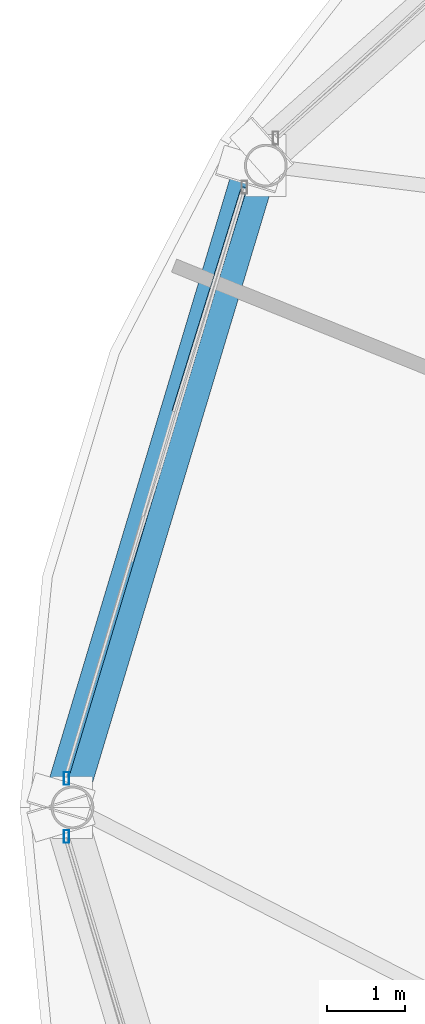
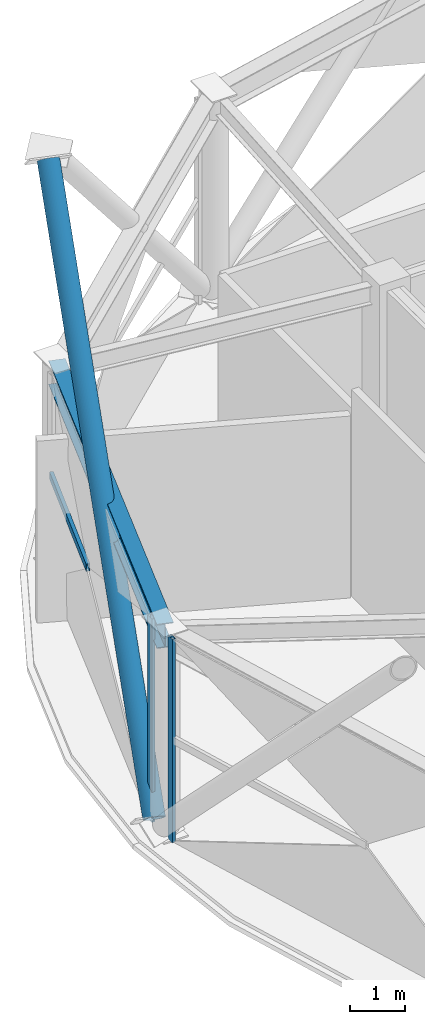
# One storey, part 8 of 27: 4 members, 1 beam, 2 elements without a shape of their own.
"""IFC4 building model written with IfcOpenShell, lengths in metres."""

import ifcopenshell
import ifcopenshell.guid

model = None  # the IFC model being written
_history = None  # IfcOwnerHistory: only IFC2X3 demands one
_inside = {}  # id of a spatial element -> (the spatial element, [elements in it])
_under = {}  # id of a project, library or spatial element -> (it, [spatial elements below it])
_declared = {}  # id of a project -> (the project, [libraries it declares])
_typed = {}  # id of a type object -> (the type object, [elements of that type])
_made_of = {}  # id of a material, layer set ... -> (it, [elements and type objects made of it])


def new_model(schema):
    """Start an empty IFC model of exactly this schema.

    Asked for "IFC4X3", IfcOpenShell would pick the latest addendum, in which some entities
    have other attributes; the version numbers below select the first issue.
    IFC2X3 requires an IfcOwnerHistory on every rooted entity: one is made here for all.
    """
    global model, _history
    if schema == "IFC4X3":
        model = ifcopenshell.file(schema_version=(4, 3, 0, 0))
    else:
        model = ifcopenshell.file(schema=schema)
    _inside.clear()
    _under.clear()
    _declared.clear()
    _typed.clear()
    _made_of.clear()
    _history = None
    if model.schema == "IFC2X3":
        org = make("IfcOrganization", Name="unknown")
        user = make(
            "IfcPersonAndOrganization",
            ThePerson=make("IfcPerson", FamilyName="unknown"),
            TheOrganization=org,
        )
        app = make(
            "IfcApplication",
            ApplicationDeveloper=org,
            Version="unknown",
            ApplicationFullName="unknown",
            ApplicationIdentifier="unknown",
        )
        _history = make(
            "IfcOwnerHistory",
            OwningUser=user,
            OwningApplication=app,
            ChangeAction="ADDED",
            CreationDate=0,
        )
    return model


def make(cls, **values):
    """One entity of the class cls with the attributes given. An attribute that is None is left unset."""
    return model.create_entity(
        cls, **{name: value for name, value in values.items() if value is not None}
    )


def rooted(cls, **values):
    """An entity with a GlobalId (a new one), such as an element, a storey or a relation."""
    return make(cls, GlobalId=ifcopenshell.guid.new(), OwnerHistory=_history, **values)


def si_unit(unit_type, name, prefix=None):
    """IfcSIUnit, for example si_unit("LENGTHUNIT", "METRE", prefix="MILLI")."""
    return make("IfcSIUnit", UnitType=unit_type, Prefix=prefix, Name=name)


def assignment(units):
    """IfcUnitAssignment: the units of a project."""
    return None if units is None else make("IfcUnitAssignment", Units=units)


def point(xyz):
    """IfcCartesianPoint."""
    return None if xyz is None else make("IfcCartesianPoint", Coordinates=xyz)


def direction(xyz):
    """IfcDirection."""
    return None if xyz is None else make("IfcDirection", DirectionRatios=xyz)


def frame(location, z_axis=None, x_axis=None):
    """IfcAxis2Placement3D, a coordinate frame: its origin and axes. An axis left out is left unset."""
    return make(
        "IfcAxis2Placement3D",
        Location=point(location),
        Axis=direction(z_axis),
        RefDirection=direction(x_axis),
    )


def frame_2d(location, x_axis=None):
    """IfcAxis2Placement2D, a coordinate frame in the plane: its origin and x axis."""
    return make(
        "IfcAxis2Placement2D", Location=point(location), RefDirection=direction(x_axis)
    )


def origin():
    """The frame at (0, 0, 0) with its axes left unset."""
    return frame((0.0, 0.0, 0.0))


def origin_2d():
    """The frame at (0, 0) in the plane with its x axis left unset."""
    return frame_2d((0.0, 0.0))


def place(relative_to, where):
    """IfcLocalPlacement: puts the frame where relative to a parent placement (None: the world)."""
    return make(
        "IfcLocalPlacement", PlacementRelTo=relative_to, RelativePlacement=where
    )


def context(
    kind, dimensions, precision=None, world=None, true_north=None, identifier=None
):
    """IfcGeometricRepresentationContext, for example the 3D "Model" context."""
    return make(
        "IfcGeometricRepresentationContext",
        ContextIdentifier=identifier,
        ContextType=kind,
        CoordinateSpaceDimension=dimensions,
        Precision=precision,
        WorldCoordinateSystem=world,
        TrueNorth=true_north,
    )


def subcontext(parent, identifier, kind, view, scale=None):
    """IfcGeometricRepresentationSubContext, for example "Body" below "Model"."""
    return make(
        "IfcGeometricRepresentationSubContext",
        ContextIdentifier=identifier,
        ContextType=kind,
        ParentContext=parent,
        TargetScale=scale,
        TargetView=view,
    )


def project(units=None, contexts=None):
    """IfcProject with its units and contexts."""
    return rooted(
        "IfcProject",
        Name="project",
        RepresentationContexts=contexts,
        UnitsInContext=assignment(units),
    )


def spatial(cls, under=None, at=None, **own):
    """A site, building, storey or space (cls), placed at a placement, below another one or the project."""
    s = rooted(cls, ObjectPlacement=at, **own)
    if under is not None:
        _under.setdefault(under.id(), (under, []))[1].append(s)
    return s


def profile(cls, at=None, kind="AREA", **sizes):
    """A parametric profile (cls). Its sizes go by their IFC names, for example OverallWidth=200.0."""
    return make(cls, ProfileType=kind, Position=at, **sizes)


def hollow_rectangle(**sizes):
    """IfcRectangleHollowProfileDef."""
    return profile("IfcRectangleHollowProfileDef", **sizes)


def hollow_circle(**sizes):
    """IfcCircleHollowProfileDef."""
    return profile("IfcCircleHollowProfileDef", **sizes)


def i_section(**sizes):
    """IfcIShapeProfileDef."""
    return profile("IfcIShapeProfileDef", **sizes)


def extrude(swept, where, along, depth):
    """IfcExtrudedAreaSolid: the profile swept, set in the frame where, extruded along a direction by depth."""
    return make(
        "IfcExtrudedAreaSolid",
        SweptArea=swept,
        Position=where,
        ExtrudedDirection=direction(along),
        Depth=depth,
    )


def shape(context_of_items, identifier, shape_type, items):
    """IfcShapeRepresentation: the items that make up one representation, for example the "Body"."""
    return make(
        "IfcShapeRepresentation",
        ContextOfItems=context_of_items,
        RepresentationIdentifier=identifier,
        RepresentationType=shape_type,
        Items=items,
    )


def material(Name=None, Category=None):
    """IfcMaterial."""
    return make("IfcMaterial", Name=Name, Category=Category)


def layer(
    of_material, thickness, ventilated=None, Name=None, Category=None, Priority=None
):
    """IfcMaterialLayer: one layer of a wall or slab, of a material (None: an air gap)."""
    return make(
        "IfcMaterialLayer",
        Material=of_material,
        LayerThickness=thickness,
        IsVentilated=ventilated,
        Name=Name,
        Category=Category,
        Priority=Priority,
    )


def layer_set(layers, Name=None):
    """IfcMaterialLayerSet."""
    return make("IfcMaterialLayerSet", MaterialLayers=layers, LayerSetName=Name)


def material_profile(
    of_material, cross_section, Name=None, Category=None, Priority=None
):
    """IfcMaterialProfile: a cross section and its material."""
    return make(
        "IfcMaterialProfile",
        Name=Name,
        Material=of_material,
        Profile=cross_section,
        Priority=Priority,
        Category=Category,
    )


def profile_set(profiles, Name=None, composite=None):
    """IfcMaterialProfileSet."""
    return make(
        "IfcMaterialProfileSet",
        Name=Name,
        MaterialProfiles=profiles,
        CompositeProfile=composite,
    )


def made_of(thing, what):
    """Note that an element or type object is made of a material, layer set ...; save() writes the relation."""
    if what is not None:
        _made_of.setdefault(what.id(), (what, []))[1].append(thing)
    return thing


def type_object(cls, material=None, **own):
    """A type object (cls), such as IfcWallType, which elements share."""
    return made_of(rooted(cls, **own), material)


def element(
    cls,
    number,
    at=None,
    inside=None,
    cuts=None,
    type_object=None,
    material=None,
    context=None,
    identifier="Body",
    shape_type=None,
    held_by="IfcProductDefinitionShape",
    body=None,
    shapes=None,
    **own,
):
    """One element of the class cls, such as IfcWall. Its Tag is "e" and its number.

    at: its placement. inside: the storey or other place that contains it. cuts: it is an
    opening in that element (IfcRelVoidsElement). A single representation is given by context,
    identifier, shape_type and body (its items); several are given by shapes. held_by: the class
    of the entity that holds the representations. save() writes the other relations.
    """
    e = rooted(cls, Tag="e%d" % number, ObjectPlacement=at, **own)
    if body is not None:
        shapes = [shape(context, identifier, shape_type, body)]
    if shapes is not None:
        e.Representation = make(held_by, Representations=shapes)
    if inside is not None:
        _inside.setdefault(inside.id(), (inside, []))[1].append(e)
    if cuts is not None:
        rooted(
            "IfcRelVoidsElement", RelatingBuildingElement=cuts, RelatedOpeningElement=e
        )
    if type_object is not None:
        _typed.setdefault(type_object.id(), (type_object, []))[1].append(e)
    return made_of(e, material)


def aggregate(whole, parts):
    """IfcRelAggregates: a whole, such as a stair, and the parts it consists of."""
    return rooted("IfcRelAggregates", RelatingObject=whole, RelatedObjects=parts)


def save(model, path):
    """Write the relations noted so far, then the file.

    IfcRelAggregates (storeys below a building ...), IfcRelContainedInSpatialStructure (elements
    in a storey), IfcRelDefinesByType, IfcRelAssociatesMaterial and IfcRelDeclares: one each for
    every whole, place, type object, material and project.
    """
    for whole, parts in _under.values():
        aggregate(whole, parts)
    for where, things in _inside.values():
        rooted(
            "IfcRelContainedInSpatialStructure",
            RelatedElements=things,
            RelatingStructure=where,
        )
    for kind, things in _typed.values():
        rooted("IfcRelDefinesByType", RelatedObjects=things, RelatingType=kind)
    for what, things in _made_of.values():
        rooted("IfcRelAssociatesMaterial", RelatedObjects=things, RelatingMaterial=what)
    for by, libraries in _declared.values():
        rooted("IfcRelDeclares", RelatingContext=by, RelatedDefinitions=libraries)
    model.write(path)


model = new_model("IFC4")

# Units and contexts
model_context = context("Model", 3, precision=1e-05, world=origin(), true_north=direction((0.0, 1.0)))
body_context = subcontext(model_context, "Body", "Model", "MODEL_VIEW")
ifc_project = project(units=[si_unit("LENGTHUNIT", "METRE"), si_unit("AREAUNIT", "SQUARE_METRE"), si_unit("VOLUMEUNIT", "CUBIC_METRE"), si_unit("PLANEANGLEUNIT", "RADIAN"), si_unit("MASSUNIT", "GRAM", prefix="KILO")], contexts=[model_context])

# Site, building, storey
site_placement = place(None, origin())
site = spatial("IfcSite", under=ifc_project, at=site_placement, CompositionType="ELEMENT")
building_placement = place(site_placement, origin())
building = spatial("IfcBuilding", under=site, at=building_placement, Name="Vantalir Tower", CompositionType="ELEMENT")
storey_placement = place(building_placement, frame((0.0, 0.0, 290.10009765625)))
storey = spatial("IfcBuildingStorey", under=building, at=storey_placement, Name="L73", CompositionType="ELEMENT", Elevation=290.10009765625)

# Beam
ifc_material_1 = material(Name="Steel S460", Category="steel")
ifc_material_profile_1 = material_profile(ifc_material_1, i_section(OverallWidth=0.31201171875, OverallDepth=0.5419921875, WebThickness=0.0126953125, FlangeThickness=0.020263671875, at=origin_2d()), Name="Steel S460")
ifc_profile_set_1 = profile_set([ifc_material_profile_1], Name="Steel S460")
beam_type = type_object("IfcBeamType", Name="BM-RG-533x312", PredefinedType="USERDEFINED", material=ifc_profile_set_1)
beam_placement = place(storey_placement, frame((15.427001953125, 33.256103515625, 4.348876953125), z_axis=(-0.288436105836, -0.957499145091, 0.0), x_axis=(0.957499145091, -0.288436105836, 0.0)))
element("IfcBeam", 1, at=beam_placement, inside=storey, type_object=beam_type, Name="L73 Circumferential Ring Girder 06", ObjectType="GIRDER", PredefinedType="USERDEFINED", context=body_context, shape_type="SweptSolid", body=[
    extrude(i_section(OverallWidth=0.31201171875, OverallDepth=0.5419921875, WebThickness=0.0126953125, FlangeThickness=0.020263671875, at=origin_2d()), origin(), (0.0, 0.0, 1.0), 8.62255859375),
])

# Curtain wall, member
ifc_material_2 = material(Name="Champagne-silver PVDF aluminium and double-silver Low-E glass", Category="aluminium")
ifc_layer = layer(ifc_material_2, 0.219970703125)
ifc_layer_set = layer_set([ifc_layer], Name="Champagne-silver PVDF aluminium and double-silver Low-E glass")
curtain_wall_type = type_object("IfcCurtainWallType", Name="CW-DIAMOND-Z4", PredefinedType="USERDEFINED", material=ifc_layer_set)
curtain_wall_1_placement = place(storey_placement, origin())
curtain_wall_1 = element("IfcCurtainWall", 2, at=curtain_wall_1_placement, inside=storey, type_object=curtain_wall_type, Name="L73 Quilted Pyramid-Diamond Curtain Wall S06", ObjectType="UNITISED CURTAIN WALL", PredefinedType="USERDEFINED")
ifc_material_3 = material(Name="Champagne-silver PVDF aluminium 6063-T6", Category="aluminium")
ifc_material_profile_2 = material_profile(ifc_material_3, hollow_rectangle(XDim=0.070068359375, YDim=0.1650390625, WallThickness=0.00390625, at=origin_2d()), Name="Champagne-silver PVDF aluminium 6063-T6")
ifc_profile_set_2 = profile_set([ifc_material_profile_2], Name="Champagne-silver PVDF aluminium 6063-T6")
member_type_1 = type_object("IfcMemberType", Name="CWM-165x70", PredefinedType="MULLION", material=ifc_profile_set_2)
member_1_placement = place(storey_placement, frame((12.862060546875, 25.373046875, 0.044921875), z_axis=(0.0, 0.0, 1.0), x_axis=(1.0, 0.0, 0.0)))
member_1 = element("IfcMember", 3, at=member_1_placement, type_object=member_type_1, Name="CW-L73-S06 Mullion 2", PredefinedType="MULLION", context=body_context, shape_type="SweptSolid", body=[
    extrude(hollow_rectangle(XDim=0.070068359375, YDim=0.1650390625, WallThickness=0.00390625, at=origin_2d()), origin(), (0.0, 0.0, 1.0), 4.530029296875),
])

curtain_wall_2_placement = place(storey_placement, origin())
curtain_wall_2 = element("IfcCurtainWall", 4, at=curtain_wall_2_placement, inside=storey, type_object=curtain_wall_type, Name="L73 Quilted Pyramid-Diamond Curtain Wall S07", ObjectType="UNITISED CURTAIN WALL", PredefinedType="USERDEFINED")
member_2_placement = place(storey_placement, frame((12.862060546875, 24.626953125, 0.044921875), z_axis=(0.0, 0.0, 1.0), x_axis=(1.0, 0.0, 0.0)))
member_2 = element("IfcMember", 5, at=member_2_placement, type_object=member_type_1, Name="CW-L73-S07 Mullion 1", PredefinedType="MULLION", context=body_context, shape_type="SweptSolid", body=[
    extrude(hollow_rectangle(XDim=0.070068359375, YDim=0.1650390625, WallThickness=0.00390625, at=origin_2d()), origin(), (0.0, 0.0, 1.0), 4.530029296875),
])
aggregate(curtain_wall_2, [member_2])

# Member
ifc_material_profile_3 = material_profile(ifc_material_3, hollow_rectangle(XDim=0.074951171875, YDim=0.159912109375, WallThickness=0.00390625, at=origin_2d()), Name="Champagne-silver PVDF aluminium 6063-T6")
ifc_profile_set_3 = profile_set([ifc_material_profile_3], Name="Champagne-silver PVDF aluminium 6063-T6")
member_type_2 = type_object("IfcMemberType", Name="CWT-160x75", PredefinedType="USERDEFINED", material=ifc_profile_set_3)
member_3_placement = place(storey_placement, frame((15.14990234375, 32.97802734375, 2.309814453125), z_axis=(-0.295819059863, -0.955243991775, 0.0), x_axis=(0.955243991775, -0.295819059863, 0.0)))
member_3 = element("IfcMember", 6, at=member_3_placement, type_object=member_type_2, Name="CW-L73-S06 Pyramid Fold Ridge Transom", ObjectType="TRANSOM", PredefinedType="USERDEFINED", context=body_context, shape_type="SweptSolid", body=[
    extrude(hollow_rectangle(XDim=0.074951171875, YDim=0.159912109375, WallThickness=0.00390625, at=origin_2d()), origin(), (0.0, 0.0, 1.0), 3.01806640625),
])

aggregate(curtain_wall_1, [member_1, member_3])

ifc_material_profile_4 = material_profile(ifc_material_1, hollow_circle(Radius=0.2099609375, WallThickness=0.02490234375, at=origin_2d()), Name="Steel S460")
ifc_profile_set_4 = profile_set([ifc_material_profile_4], Name="Steel S460")
member_type_3 = type_object("IfcMemberType", Name="MEM-DB-420x25", PredefinedType="BRACE", material=ifc_profile_set_4)
member_4_placement = place(storey_placement, frame((12.79296875, 25.14404296875, 0.239990234375), z_axis=(0.197544968292, 0.656548266359, 0.727956289515), x_axis=(-0.95759294524, 0.288124541175, 0.0)))
element("IfcMember", 7, at=member_4_placement, inside=storey, type_object=member_type_3, Name="L73 Perimeter S460 Diagrid Brace R19R", PredefinedType="BRACE", context=body_context, shape_type="SweptSolid", body=[
    extrude(hollow_circle(Radius=0.2099609375, WallThickness=0.02490234375, at=origin_2d()), origin(), (0.0, 0.0, 1.0), 12.28076171875),
])

save(model, "model.ifc")
